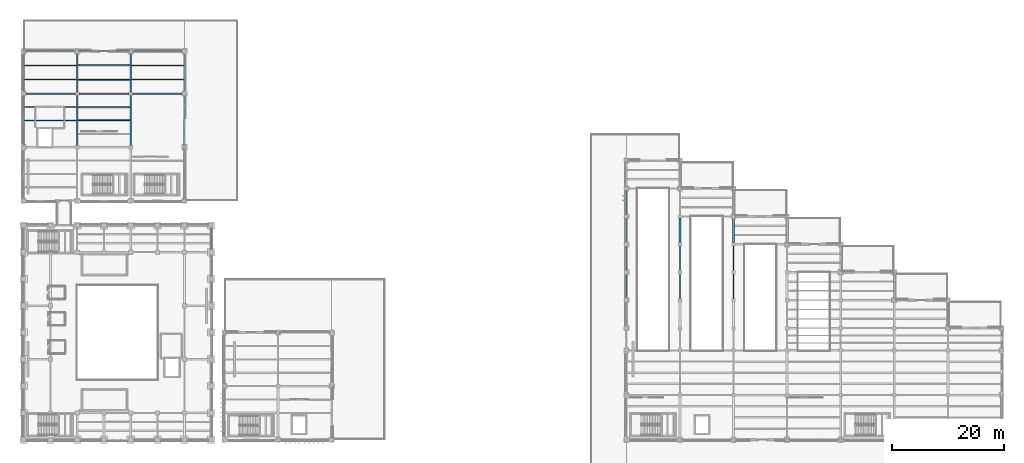
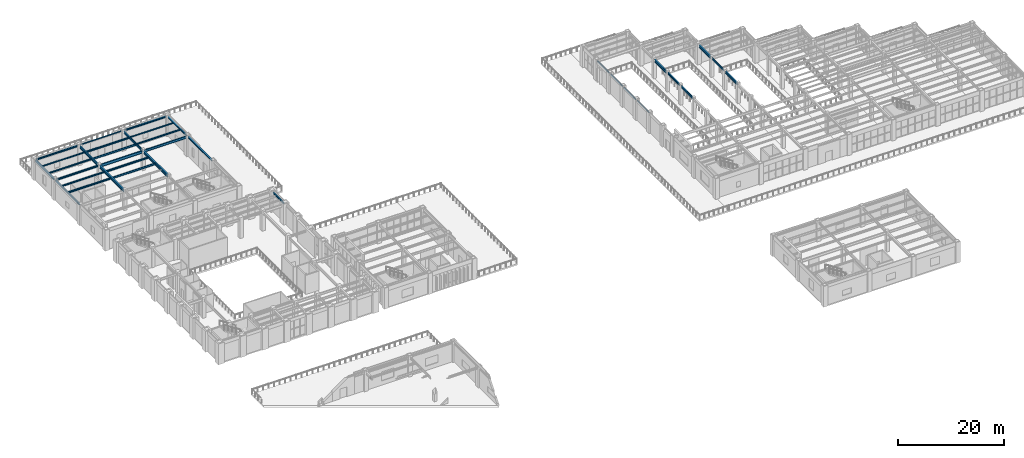
# One storey, part 23 of 83: 35 beams.
"""IFC4 building model written with IfcOpenShell, lengths in metres."""

import ifcopenshell
import ifcopenshell.guid

model = None  # the IFC model being written
_history = None  # IfcOwnerHistory: only IFC2X3 demands one
_inside = {}  # id of a spatial element -> (the spatial element, [elements in it])
_under = {}  # id of a project, library or spatial element -> (it, [spatial elements below it])
_declared = {}  # id of a project -> (the project, [libraries it declares])
_typed = {}  # id of a type object -> (the type object, [elements of that type])
_made_of = {}  # id of a material, layer set ... -> (it, [elements and type objects made of it])


def new_model(schema):
    """Start an empty IFC model of exactly this schema.

    Asked for "IFC4X3", IfcOpenShell would pick the latest addendum, in which some entities
    have other attributes; the version numbers below select the first issue.
    IFC2X3 requires an IfcOwnerHistory on every rooted entity: one is made here for all.
    """
    global model, _history
    if schema == "IFC4X3":
        model = ifcopenshell.file(schema_version=(4, 3, 0, 0))
    else:
        model = ifcopenshell.file(schema=schema)
    _inside.clear()
    _under.clear()
    _declared.clear()
    _typed.clear()
    _made_of.clear()
    _history = None
    if model.schema == "IFC2X3":
        org = make("IfcOrganization", Name="unknown")
        user = make(
            "IfcPersonAndOrganization",
            ThePerson=make("IfcPerson", FamilyName="unknown"),
            TheOrganization=org,
        )
        app = make(
            "IfcApplication",
            ApplicationDeveloper=org,
            Version="unknown",
            ApplicationFullName="unknown",
            ApplicationIdentifier="unknown",
        )
        _history = make(
            "IfcOwnerHistory",
            OwningUser=user,
            OwningApplication=app,
            ChangeAction="ADDED",
            CreationDate=0,
        )
    return model


def make(cls, **values):
    """One entity of the class cls with the attributes given. An attribute that is None is left unset."""
    return model.create_entity(
        cls, **{name: value for name, value in values.items() if value is not None}
    )


def rooted(cls, **values):
    """An entity with a GlobalId (a new one), such as an element, a storey or a relation."""
    return make(cls, GlobalId=ifcopenshell.guid.new(), OwnerHistory=_history, **values)


def si_unit(unit_type, name, prefix=None):
    """IfcSIUnit, for example si_unit("LENGTHUNIT", "METRE", prefix="MILLI")."""
    return make("IfcSIUnit", UnitType=unit_type, Prefix=prefix, Name=name)


def assignment(units):
    """IfcUnitAssignment: the units of a project."""
    return None if units is None else make("IfcUnitAssignment", Units=units)


def point(xyz):
    """IfcCartesianPoint."""
    return None if xyz is None else make("IfcCartesianPoint", Coordinates=xyz)


def direction(xyz):
    """IfcDirection."""
    return None if xyz is None else make("IfcDirection", DirectionRatios=xyz)


def frame(location, z_axis=None, x_axis=None):
    """IfcAxis2Placement3D, a coordinate frame: its origin and axes. An axis left out is left unset."""
    return make(
        "IfcAxis2Placement3D",
        Location=point(location),
        Axis=direction(z_axis),
        RefDirection=direction(x_axis),
    )


def frame_2d(location, x_axis=None):
    """IfcAxis2Placement2D, a coordinate frame in the plane: its origin and x axis."""
    return make(
        "IfcAxis2Placement2D", Location=point(location), RefDirection=direction(x_axis)
    )


def origin():
    """The frame at (0, 0, 0) with its axes left unset."""
    return frame((0.0, 0.0, 0.0))


def origin_2d():
    """The frame at (0, 0) in the plane with its x axis left unset."""
    return frame_2d((0.0, 0.0))


def place(relative_to, where):
    """IfcLocalPlacement: puts the frame where relative to a parent placement (None: the world)."""
    return make(
        "IfcLocalPlacement", PlacementRelTo=relative_to, RelativePlacement=where
    )


def context(
    kind, dimensions, precision=None, world=None, true_north=None, identifier=None
):
    """IfcGeometricRepresentationContext, for example the 3D "Model" context."""
    return make(
        "IfcGeometricRepresentationContext",
        ContextIdentifier=identifier,
        ContextType=kind,
        CoordinateSpaceDimension=dimensions,
        Precision=precision,
        WorldCoordinateSystem=world,
        TrueNorth=true_north,
    )


def subcontext(parent, identifier, kind, view, scale=None):
    """IfcGeometricRepresentationSubContext, for example "Body" below "Model"."""
    return make(
        "IfcGeometricRepresentationSubContext",
        ContextIdentifier=identifier,
        ContextType=kind,
        ParentContext=parent,
        TargetScale=scale,
        TargetView=view,
    )


def project(units=None, contexts=None):
    """IfcProject with its units and contexts."""
    return rooted(
        "IfcProject",
        Name="project",
        RepresentationContexts=contexts,
        UnitsInContext=assignment(units),
    )


def spatial(cls, under=None, at=None, **own):
    """A site, building, storey or space (cls), placed at a placement, below another one or the project."""
    s = rooted(cls, ObjectPlacement=at, **own)
    if under is not None:
        _under.setdefault(under.id(), (under, []))[1].append(s)
    return s


def profile(cls, at=None, kind="AREA", **sizes):
    """A parametric profile (cls). Its sizes go by their IFC names, for example OverallWidth=200.0."""
    return make(cls, ProfileType=kind, Position=at, **sizes)


def hollow_rectangle(**sizes):
    """IfcRectangleHollowProfileDef."""
    return profile("IfcRectangleHollowProfileDef", **sizes)


def i_section(**sizes):
    """IfcIShapeProfileDef."""
    return profile("IfcIShapeProfileDef", **sizes)


def extrude(swept, where, along, depth):
    """IfcExtrudedAreaSolid: the profile swept, set in the frame where, extruded along a direction by depth."""
    return make(
        "IfcExtrudedAreaSolid",
        SweptArea=swept,
        Position=where,
        ExtrudedDirection=direction(along),
        Depth=depth,
    )


def shape(context_of_items, identifier, shape_type, items):
    """IfcShapeRepresentation: the items that make up one representation, for example the "Body"."""
    return make(
        "IfcShapeRepresentation",
        ContextOfItems=context_of_items,
        RepresentationIdentifier=identifier,
        RepresentationType=shape_type,
        Items=items,
    )


def material(Name=None, Category=None):
    """IfcMaterial."""
    return make("IfcMaterial", Name=Name, Category=Category)


def material_profile(
    of_material, cross_section, Name=None, Category=None, Priority=None
):
    """IfcMaterialProfile: a cross section and its material."""
    return make(
        "IfcMaterialProfile",
        Name=Name,
        Material=of_material,
        Profile=cross_section,
        Priority=Priority,
        Category=Category,
    )


def profile_set(profiles, Name=None, composite=None):
    """IfcMaterialProfileSet."""
    return make(
        "IfcMaterialProfileSet",
        Name=Name,
        MaterialProfiles=profiles,
        CompositeProfile=composite,
    )


def made_of(thing, what):
    """Note that an element or type object is made of a material, layer set ...; save() writes the relation."""
    if what is not None:
        _made_of.setdefault(what.id(), (what, []))[1].append(thing)
    return thing


def type_object(cls, material=None, **own):
    """A type object (cls), such as IfcWallType, which elements share."""
    return made_of(rooted(cls, **own), material)


def element(
    cls,
    number,
    at=None,
    inside=None,
    cuts=None,
    type_object=None,
    material=None,
    context=None,
    identifier="Body",
    shape_type=None,
    held_by="IfcProductDefinitionShape",
    body=None,
    shapes=None,
    **own,
):
    """One element of the class cls, such as IfcWall. Its Tag is "e" and its number.

    at: its placement. inside: the storey or other place that contains it. cuts: it is an
    opening in that element (IfcRelVoidsElement). A single representation is given by context,
    identifier, shape_type and body (its items); several are given by shapes. held_by: the class
    of the entity that holds the representations. save() writes the other relations.
    """
    e = rooted(cls, Tag="e%d" % number, ObjectPlacement=at, **own)
    if body is not None:
        shapes = [shape(context, identifier, shape_type, body)]
    if shapes is not None:
        e.Representation = make(held_by, Representations=shapes)
    if inside is not None:
        _inside.setdefault(inside.id(), (inside, []))[1].append(e)
    if cuts is not None:
        rooted(
            "IfcRelVoidsElement", RelatingBuildingElement=cuts, RelatedOpeningElement=e
        )
    if type_object is not None:
        _typed.setdefault(type_object.id(), (type_object, []))[1].append(e)
    return made_of(e, material)


def aggregate(whole, parts):
    """IfcRelAggregates: a whole, such as a stair, and the parts it consists of."""
    return rooted("IfcRelAggregates", RelatingObject=whole, RelatedObjects=parts)


def save(model, path):
    """Write the relations noted so far, then the file.

    IfcRelAggregates (storeys below a building ...), IfcRelContainedInSpatialStructure (elements
    in a storey), IfcRelDefinesByType, IfcRelAssociatesMaterial and IfcRelDeclares: one each for
    every whole, place, type object, material and project.
    """
    for whole, parts in _under.values():
        aggregate(whole, parts)
    for where, things in _inside.values():
        rooted(
            "IfcRelContainedInSpatialStructure",
            RelatedElements=things,
            RelatingStructure=where,
        )
    for kind, things in _typed.values():
        rooted("IfcRelDefinesByType", RelatedObjects=things, RelatingType=kind)
    for what, things in _made_of.values():
        rooted("IfcRelAssociatesMaterial", RelatedObjects=things, RelatingMaterial=what)
    for by, libraries in _declared.values():
        rooted("IfcRelDeclares", RelatingContext=by, RelatedDefinitions=libraries)
    model.write(path)


model = new_model("IFC4")

# Units and contexts
model_context = context("Model", 3, precision=1e-05, world=origin(), true_north=direction((0.0, 1.0)))
body_context = subcontext(model_context, "Body", "Model", "MODEL_VIEW")
ifc_project = project(units=[si_unit("LENGTHUNIT", "METRE"), si_unit("AREAUNIT", "SQUARE_METRE"), si_unit("VOLUMEUNIT", "CUBIC_METRE"), si_unit("PLANEANGLEUNIT", "RADIAN"), si_unit("MASSUNIT", "GRAM", prefix="KILO")], contexts=[model_context])

# Site, building, storey
site_placement = place(None, origin())
site = spatial("IfcSite", under=ifc_project, at=site_placement, CompositionType="ELEMENT")
building_placement = place(site_placement, origin())
building = spatial("IfcBuilding", under=site, at=building_placement, Name="Mavantir Sound Aquarium", CompositionType="ELEMENT")
storey_placement = place(building_placement, frame((0.0, 0.0, 10.5)))
storey = spatial("IfcBuildingStorey", under=building, at=storey_placement, Name="L02", CompositionType="ELEMENT", Elevation=10.5)

# Beams
ifc_material_1 = material(Name="Hollow Structural Steel ASTM A500 GrC", Category="steel")
ifc_material_profile_1 = material_profile(ifc_material_1, hollow_rectangle(XDim=0.199951171875, YDim=0.300048828125, WallThickness=0.012451171875, InnerFilletRadius=0.012451171875, OuterFilletRadius=0.02490234375, at=origin_2d()), Name="RHS 300X200X12.5")
ifc_profile_set_1 = profile_set([ifc_material_profile_1], Name="Hollow Structural Steel ASTM A500 GrC")
beam_type_1 = type_object("IfcBeamType", Name="BM-RHS300-E", PredefinedType="SPANDREL", material=ifc_profile_set_1)
for number, where, z_axis, x_axis, name in (
    (1, (108.0, 66.10009765625, 4.3359375), (0.0, 1.0, 0.0), (-1.0, 0.0, 0.0), "L02 primary girder SS-R30 1556"),
    (2, (108.0, 71.10009765625, 4.3359375), (0.0, 1.0, 0.0), (-1.0, 0.0, 0.0), "L02 primary girder SS-R30 1557"),
    (3, (108.0, 76.10009765625, 4.3359375), (0.0, 1.0, 0.0), (-1.0, 0.0, 0.0), "L02 primary girder SS-R30 1558"),
    (4, (108.0, 81.10009765625, 4.3359375), (0.0, 1.0, 0.0), (-1.0, 0.0, 0.0), "L02 primary girder SS-R30 1559"),
):
    element("IfcBeam", number, at=place(storey_placement, frame(where, z_axis=z_axis, x_axis=x_axis)), inside=storey, type_object=beam_type_1, Name=name, PredefinedType="SPANDREL", context=body_context, shape_type="SweptSolid", body=[
        extrude(hollow_rectangle(XDim=0.199951171875, YDim=0.300048828125, WallThickness=0.012451171875, InnerFilletRadius=0.012451171875, OuterFilletRadius=0.02490234375, at=origin_2d()), origin(), (0.0, 0.0, 1.0), 4.39990234375),
    ])
ifc_material_2 = material(Name="Structural Steel ASTM A992 Gr50", Category="steel")
ifc_material_profile_2 = material_profile(ifc_material_2, i_section(OverallWidth=0.202880859375, OverallDepth=0.202880859375, WebThickness=0.007080078125, FlangeThickness=0.010986328125, FilletRadius=0.010009765625, at=origin_2d()), Name="W200X46")
ifc_profile_set_2 = profile_set([ifc_material_profile_2], Name="Structural Steel ASTM A992 Gr50")
beam_type_2 = type_object("IfcBeamType", Name="BM-W200X46-E", PredefinedType="LINTEL", material=ifc_profile_set_2)
beam_1_placement = place(storey_placement, frame((9.89990234375, 110.39990234375, 4.37451171875), z_axis=(1.0, 0.0, 0.0), x_axis=(0.0, 1.0, 0.0)))
element("IfcBeam", 5, at=beam_1_placement, inside=storey, type_object=beam_type_2, Name="L02 primary beam SL-20 1612", PredefinedType="LINTEL", context=body_context, shape_type="SweptSolid", body=[
    extrude(i_section(OverallWidth=0.202880859375, OverallDepth=0.202880859375, WebThickness=0.007080078125, FlangeThickness=0.010986328125, FilletRadius=0.010009765625, at=origin_2d()), origin(), (0.0, 0.0, 1.0), 9.0),
])
ifc_material_profile_3 = material_profile(ifc_material_2, i_section(OverallWidth=0.202880859375, OverallDepth=0.251953125, WebThickness=0.008056640625, FlangeThickness=0.013427734375, FilletRadius=0.011962890625, at=origin_2d()), Name="W250X58")
ifc_profile_set_3 = profile_set([ifc_material_profile_3], Name="Structural Steel ASTM A992 Gr50")
beam_type_3 = type_object("IfcBeamType", Name="BM-W250X58-I", PredefinedType="JOIST", material=ifc_profile_set_3)
beam_2_placement = place(storey_placement, frame((0.152587890625, 107.86669921875, 4.35009765625), z_axis=(1.0, 0.0, 0.0), x_axis=(0.0, 1.0, 0.0)))
element("IfcBeam", 6, at=beam_2_placement, inside=storey, type_object=beam_type_3, Name="L02 secondary floor joist SJ-25 964", PredefinedType="JOIST", context=body_context, shape_type="SweptSolid", body=[
    extrude(i_section(OverallWidth=0.202880859375, OverallDepth=0.251953125, WebThickness=0.008056640625, FlangeThickness=0.013427734375, FilletRadius=0.011962890625, at=origin_2d()), origin(), (0.0, 0.0, 1.0), 9.34130859375),
])
beam_3_placement = place(storey_placement, frame((19.305908203125, 107.86669921875, 4.35009765625), z_axis=(1.0, 0.0, 0.0), x_axis=(0.0, 1.0, 0.0)))
element("IfcBeam", 7, at=beam_3_placement, inside=storey, type_object=beam_type_3, Name="L02 secondary floor joist SJ-25 968", PredefinedType="JOIST", context=body_context, shape_type="SweptSolid", body=[
    extrude(i_section(OverallWidth=0.202880859375, OverallDepth=0.251953125, WebThickness=0.008056640625, FlangeThickness=0.013427734375, FilletRadius=0.011962890625, at=origin_2d()), origin(), (0.0, 0.0, 1.0), 9.341552734375),
])
ifc_material_profile_4 = material_profile(ifc_material_2, i_section(OverallWidth=0.205078125, OverallDepth=0.31005859375, WebThickness=0.009521484375, FlangeThickness=0.016357421875, FilletRadius=0.012939453125, at=origin_2d()), Name="W310X74")
ifc_profile_set_4 = profile_set([ifc_material_profile_4], Name="Structural Steel ASTM A992 Gr50")
beam_type_4 = type_object("IfcBeamType", Name="BM-W310X74-I", PredefinedType="JOIST", material=ifc_profile_set_4)
beam_4_placement = place(storey_placement, frame((0.152587890625, 100.39990234375, 4.361083984375), z_axis=(1.0, 0.0, 0.0), x_axis=(0.0, 1.0, 0.0)))
element("IfcBeam", 8, at=beam_4_placement, inside=storey, type_object=beam_type_4, Name="L02 secondary floor joist SJ-31 959", PredefinedType="JOIST", context=body_context, shape_type="SweptSolid", body=[
    extrude(i_section(OverallWidth=0.205078125, OverallDepth=0.31005859375, WebThickness=0.009521484375, FlangeThickness=0.016357421875, FilletRadius=0.012939453125, at=origin_2d()), origin(), (0.0, 0.0, 1.0), 9.285400390625),
])
beam_5_placement = place(storey_placement, frame((0.152587890625, 105.333251953125, 4.321044921875), z_axis=(1.0, 0.0, 0.0), x_axis=(0.0, 1.0, 0.0)))
element("IfcBeam", 9, at=beam_5_placement, inside=storey, type_object=beam_type_4, Name="L02 secondary floor joist SJ-31 963", PredefinedType="JOIST", context=body_context, shape_type="SweptSolid", body=[
    extrude(i_section(OverallWidth=0.205078125, OverallDepth=0.31005859375, WebThickness=0.009521484375, FlangeThickness=0.016357421875, FilletRadius=0.012939453125, at=origin_2d()), origin(), (0.0, 0.0, 1.0), 9.34130859375),
])
beam_6_placement = place(storey_placement, frame((19.305908203125, 105.333251953125, 4.321044921875), z_axis=(1.0, 0.0, 0.0), x_axis=(0.0, 1.0, 0.0)))
element("IfcBeam", 10, at=beam_6_placement, inside=storey, type_object=beam_type_4, Name="L02 secondary floor joist SJ-31 967", PredefinedType="JOIST", context=body_context, shape_type="SweptSolid", body=[
    extrude(i_section(OverallWidth=0.205078125, OverallDepth=0.31005859375, WebThickness=0.009521484375, FlangeThickness=0.016357421875, FilletRadius=0.012939453125, at=origin_2d()), origin(), (0.0, 0.0, 1.0), 9.341552734375),
])
ifc_material_profile_5 = material_profile(ifc_material_2, i_section(OverallWidth=0.304931640625, OverallDepth=0.30810546875, WebThickness=0.010009765625, FlangeThickness=0.015380859375, FilletRadius=0.014892578125, at=origin_2d()), Name="W310X97")
ifc_profile_set_5 = profile_set([ifc_material_profile_5], Name="Structural Steel ASTM A992 Gr50")
beam_type_5 = type_object("IfcBeamType", Name="BM-W310X97-E", PredefinedType="SPANDREL", material=ifc_profile_set_5)
beam_7_placement = place(storey_placement, frame((33.60009765625, 74.77490234375, 4.241943359375), z_axis=(0.0, 1.0, 0.0), x_axis=(-1.0, 0.0, 0.0)))
element("IfcBeam", 11, at=beam_7_placement, inside=storey, type_object=beam_type_5, Name="L02 primary girder SS-31A 1480", PredefinedType="SPANDREL", context=body_context, shape_type="SweptSolid", body=[
    extrude(i_section(OverallWidth=0.304931640625, OverallDepth=0.30810546875, WebThickness=0.010009765625, FlangeThickness=0.015380859375, FilletRadius=0.014892578125, at=origin_2d()), origin(), (0.0, 0.0, 1.0), 4.050048828125),
])
for number, where, z_axis, x_axis, name in (
    (12, (0.300048828125, 110.39990234375, 4.322021484375), (1.0, 0.0, 0.0), (0.0, 1.0, 0.0), "L02 primary beam SS-31A 1611"),
    (13, (19.5, 110.39990234375, 4.322021484375), (1.0, 0.0, 0.0), (0.0, 1.0, 0.0), "L02 primary beam SS-31A 1613"),
    (14, (0.0, 93.5, 4.362060546875), (0.0, 1.0, 0.0), (-1.0, 0.0, 0.0), "L02 primary girder SS-31A 1615"),
):
    element("IfcBeam", number, at=place(storey_placement, frame(where, z_axis=z_axis, x_axis=x_axis)), inside=storey, type_object=beam_type_5, Name=name, PredefinedType="SPANDREL", context=body_context, shape_type="SweptSolid", body=[
        extrude(i_section(OverallWidth=0.304931640625, OverallDepth=0.30810546875, WebThickness=0.010009765625, FlangeThickness=0.015380859375, FilletRadius=0.014892578125, at=origin_2d()), origin(), (0.0, 0.0, 1.0), 9.0),
    ])
beam_8_placement = place(storey_placement, frame((0.0, 103.10009765625, 4.322021484375), z_axis=(0.0, 1.0, 0.0), x_axis=(-1.0, 0.0, 0.0)))
element("IfcBeam", 15, at=beam_8_placement, inside=storey, type_object=beam_type_5, Name="L02 primary girder SS-31A 1616", PredefinedType="SPANDREL", context=body_context, shape_type="SweptSolid", body=[
    extrude(i_section(OverallWidth=0.304931640625, OverallDepth=0.30810546875, WebThickness=0.010009765625, FlangeThickness=0.015380859375, FilletRadius=0.014892578125, at=origin_2d()), origin(), (0.0, 0.0, 1.0), 7.0),
])
beam_9_placement = place(storey_placement, frame((28.800048828125, 93.5, 4.362060546875), z_axis=(0.0, 1.0, 0.0), x_axis=(-1.0, 0.0, 0.0)))
element("IfcBeam", 16, at=beam_9_placement, inside=storey, type_object=beam_type_5, Name="L02 primary girder SS-31A 1624", PredefinedType="SPANDREL", context=body_context, shape_type="SweptSolid", body=[
    extrude(i_section(OverallWidth=0.304931640625, OverallDepth=0.30810546875, WebThickness=0.010009765625, FlangeThickness=0.015380859375, FilletRadius=0.014892578125, at=origin_2d()), origin(), (0.0, 0.0, 1.0), 9.0),
])
beam_10_placement = place(storey_placement, frame((28.800048828125, 103.10009765625, 4.322021484375), z_axis=(0.0, 1.0, 0.0), x_axis=(-1.0, 0.0, 0.0)))
element("IfcBeam", 17, at=beam_10_placement, inside=storey, type_object=beam_type_5, Name="L02 primary girder SS-31A 1625", PredefinedType="SPANDREL", context=body_context, shape_type="SweptSolid", body=[
    extrude(i_section(OverallWidth=0.304931640625, OverallDepth=0.30810546875, WebThickness=0.010009765625, FlangeThickness=0.015380859375, FilletRadius=0.014892578125, at=origin_2d()), origin(), (0.0, 0.0, 1.0), 7.0),
])
ifc_material_profile_6 = material_profile(ifc_material_2, i_section(OverallWidth=0.257080078125, OverallDepth=0.363037109375, WebThickness=0.012939453125, FlangeThickness=0.021728515625, FilletRadius=0.014892578125, at=origin_2d()), Name="W360X122")
ifc_profile_set_6 = profile_set([ifc_material_profile_6], Name="Structural Steel ASTM A992 Gr50")
beam_type_6 = type_object("IfcBeamType", Name="BM-W360X122-I", PredefinedType="BEAM", material=ifc_profile_set_6)
beam_11_placement = place(storey_placement, frame((0.300048828125, 102.800048828125, 4.29443359375), z_axis=(1.0, 0.0, 0.0), x_axis=(0.0, 1.0, 0.0)))
element("IfcBeam", 18, at=beam_11_placement, inside=storey, type_object=beam_type_6, Name="L02 primary beam SB-36A 1608", PredefinedType="BEAM", context=body_context, shape_type="SweptSolid", body=[
    extrude(i_section(OverallWidth=0.257080078125, OverallDepth=0.363037109375, WebThickness=0.012939453125, FlangeThickness=0.021728515625, FilletRadius=0.014892578125, at=origin_2d()), origin(), (0.0, 0.0, 1.0), 9.0),
])
ifc_material_profile_7 = material_profile(ifc_material_2, i_section(OverallWidth=0.25390625, OverallDepth=0.35302734375, WebThickness=0.009521484375, FlangeThickness=0.016357421875, FilletRadius=0.014892578125, at=origin_2d()), Name="W360X91")
ifc_profile_set_7 = profile_set([ifc_material_profile_7], Name="Structural Steel ASTM A992 Gr50")
beam_type_7 = type_object("IfcBeamType", Name="BM-W360X91-I", PredefinedType="JOIST", material=ifc_profile_set_7)
beam_12_placement = place(storey_placement, frame((0.152587890625, 98.0, 4.339599609375), z_axis=(1.0, 0.0, 0.0), x_axis=(0.0, 1.0, 0.0)))
element("IfcBeam", 19, at=beam_12_placement, inside=storey, type_object=beam_type_7, Name="L02 secondary floor joist SJ-36 958", PredefinedType="JOIST", context=body_context, shape_type="SweptSolid", body=[
    extrude(i_section(OverallWidth=0.25390625, OverallDepth=0.35302734375, WebThickness=0.009521484375, FlangeThickness=0.016357421875, FilletRadius=0.014892578125, at=origin_2d()), origin(), (0.0, 0.0, 1.0), 9.285400390625),
])
beam_13_placement = place(storey_placement, frame((9.761962890625, 100.39990234375, 4.339599609375), z_axis=(1.0, 0.0, 0.0), x_axis=(0.0, 1.0, 0.0)))
element("IfcBeam", 20, at=beam_13_placement, inside=storey, type_object=beam_type_7, Name="L02 secondary floor joist SJ-36 962", PredefinedType="JOIST", context=body_context, shape_type="SweptSolid", body=[
    extrude(i_section(OverallWidth=0.25390625, OverallDepth=0.35302734375, WebThickness=0.009521484375, FlangeThickness=0.016357421875, FilletRadius=0.014892578125, at=origin_2d()), origin(), (0.0, 0.0, 1.0), 9.276123046875),
])
beam_14_placement = place(storey_placement, frame((9.7060546875, 107.86669921875, 4.299560546875), z_axis=(1.0, 0.0, 0.0), x_axis=(0.0, 1.0, 0.0)))
element("IfcBeam", 21, at=beam_14_placement, inside=storey, type_object=beam_type_7, Name="L02 secondary floor joist SJ-36 966", PredefinedType="JOIST", context=body_context, shape_type="SweptSolid", body=[
    extrude(i_section(OverallWidth=0.25390625, OverallDepth=0.35302734375, WebThickness=0.009521484375, FlangeThickness=0.016357421875, FilletRadius=0.014892578125, at=origin_2d()), origin(), (0.0, 0.0, 1.0), 9.387939453125),
])
ifc_material_profile_8 = material_profile(ifc_material_2, i_section(OverallWidth=0.180908203125, OverallDepth=0.4169921875, WebThickness=0.010986328125, FlangeThickness=0.018310546875, FilletRadius=0.014892578125, at=origin_2d()), Name="W410X85")
ifc_profile_set_8 = profile_set([ifc_material_profile_8], Name="Structural Steel ASTM A992 Gr50")
beam_type_8 = type_object("IfcBeamType", Name="BM-W410X85-I", PredefinedType="JOIST", material=ifc_profile_set_8)
beam_15_placement = place(storey_placement, frame((9.761962890625, 98.0, 4.3076171875), z_axis=(1.0, 0.0, 0.0), x_axis=(0.0, 1.0, 0.0)))
element("IfcBeam", 22, at=beam_15_placement, inside=storey, type_object=beam_type_8, Name="L02 secondary floor joist SJ-41 961", PredefinedType="JOIST", context=body_context, shape_type="SweptSolid", body=[
    extrude(i_section(OverallWidth=0.180908203125, OverallDepth=0.4169921875, WebThickness=0.010986328125, FlangeThickness=0.018310546875, FilletRadius=0.014892578125, at=origin_2d()), origin(), (0.0, 0.0, 1.0), 9.276123046875),
])
beam_16_placement = place(storey_placement, frame((9.7060546875, 105.333251953125, 4.267578125), z_axis=(1.0, 0.0, 0.0), x_axis=(0.0, 1.0, 0.0)))
element("IfcBeam", 23, at=beam_16_placement, inside=storey, type_object=beam_type_8, Name="L02 secondary floor joist SJ-41 965", PredefinedType="JOIST", context=body_context, shape_type="SweptSolid", body=[
    extrude(i_section(OverallWidth=0.180908203125, OverallDepth=0.4169921875, WebThickness=0.010986328125, FlangeThickness=0.018310546875, FilletRadius=0.014892578125, at=origin_2d()), origin(), (0.0, 0.0, 1.0), 9.387939453125),
])
ifc_material_profile_9 = material_profile(ifc_material_2, i_section(OverallWidth=0.194091796875, OverallDepth=0.468994140625, WebThickness=0.0126953125, FlangeThickness=0.0205078125, FilletRadius=0.01611328125, at=origin_2d()), Name="W460X106")
ifc_profile_set_9 = profile_set([ifc_material_profile_9], Name="Structural Steel ASTM A992 Gr50")
beam_type_9 = type_object("IfcBeamType", Name="BM-W460X106-I", PredefinedType="BEAM", material=ifc_profile_set_9)
for number, where, z_axis, x_axis, name in (
    (24, (117.60009765625, 71.10009765625, 4.25146484375), (0.0, 1.0, 0.0), (-1.0, 0.0, 0.0), "L02 primary girder SB-46 1566"),
    (25, (127.199951171875, 71.10009765625, 4.25146484375), (0.0, 1.0, 0.0), (-1.0, 0.0, 0.0), "L02 primary girder SB-46 1575"),
):
    element("IfcBeam", number, at=place(storey_placement, frame(where, z_axis=z_axis, x_axis=x_axis)), inside=storey, type_object=beam_type_9, Name=name, PredefinedType="BEAM", context=body_context, shape_type="SweptSolid", body=[
        extrude(i_section(OverallWidth=0.194091796875, OverallDepth=0.468994140625, WebThickness=0.0126953125, FlangeThickness=0.0205078125, FilletRadius=0.01611328125, at=origin_2d()), origin(), (0.0, 0.0, 1.0), 4.39990234375),
    ])
ifc_material_profile_10 = material_profile(ifc_material_2, i_section(OverallWidth=0.2119140625, OverallDepth=0.5439453125, WebThickness=0.01318359375, FlangeThickness=0.021240234375, FilletRadius=0.01806640625, at=origin_2d()), Name="W530X123")
ifc_profile_set_10 = profile_set([ifc_material_profile_10], Name="Structural Steel ASTM A992 Gr50")
beam_type_10 = type_object("IfcBeamType", Name="BM-W530X123-I", PredefinedType="BEAM", material=ifc_profile_set_10)
for number, where, z_axis, x_axis, name in (
    (26, (117.60009765625, 66.10009765625, 4.214111328125), (0.0, 1.0, 0.0), (-1.0, 0.0, 0.0), "L02 primary girder SB-53 1565"),
    (27, (127.199951171875, 66.10009765625, 4.214111328125), (0.0, 1.0, 0.0), (-1.0, 0.0, 0.0), "L02 primary girder SB-53 1574"),
):
    element("IfcBeam", number, at=place(storey_placement, frame(where, z_axis=z_axis, x_axis=x_axis)), inside=storey, type_object=beam_type_10, Name=name, PredefinedType="BEAM", context=body_context, shape_type="SweptSolid", body=[
        extrude(i_section(OverallWidth=0.2119140625, OverallDepth=0.5439453125, WebThickness=0.01318359375, FlangeThickness=0.021240234375, FilletRadius=0.01806640625, at=origin_2d()), origin(), (0.0, 0.0, 1.0), 4.39990234375),
    ])
beam_17_placement = place(storey_placement, frame((19.5, 102.800048828125, 4.2041015625), z_axis=(1.0, 0.0, 0.0), x_axis=(0.0, 1.0, 0.0)))
element("IfcBeam", 28, at=beam_17_placement, inside=storey, type_object=beam_type_10, Name="L02 primary beam SB-53 1610", PredefinedType="BEAM", context=body_context, shape_type="SweptSolid", body=[
    extrude(i_section(OverallWidth=0.2119140625, OverallDepth=0.5439453125, WebThickness=0.01318359375, FlangeThickness=0.021240234375, FilletRadius=0.01806640625, at=origin_2d()), origin(), (0.0, 0.0, 1.0), 9.0),
])
for number, where, z_axis, x_axis, name in (
    (29, (9.60009765625, 103.10009765625, 4.2041015625), (0.0, 1.0, 0.0), (-1.0, 0.0, 0.0), "L02 primary girder SB-53 1619"),
    (30, (19.199951171875, 103.10009765625, 4.2041015625), (0.0, 1.0, 0.0), (-1.0, 0.0, 0.0), "L02 primary girder SB-53 1622"),
):
    element("IfcBeam", number, at=place(storey_placement, frame(where, z_axis=z_axis, x_axis=x_axis)), inside=storey, type_object=beam_type_10, Name=name, PredefinedType="BEAM", context=body_context, shape_type="SweptSolid", body=[
        extrude(i_section(OverallWidth=0.2119140625, OverallDepth=0.5439453125, WebThickness=0.01318359375, FlangeThickness=0.021240234375, FilletRadius=0.01806640625, at=origin_2d()), origin(), (0.0, 0.0, 1.0), 7.0),
    ])
ifc_material_profile_11 = material_profile(ifc_material_2, i_section(OverallWidth=0.22900390625, OverallDepth=0.612060546875, WebThickness=0.011962890625, FlangeThickness=0.01953125, FilletRadius=0.01904296875, at=origin_2d()), Name="W610X125")
ifc_profile_set_11 = profile_set([ifc_material_profile_11], Name="Structural Steel ASTM A992 Gr50")
beam_type_11 = type_object("IfcBeamType", Name="BM-W610X125-I", PredefinedType="BEAM", material=ifc_profile_set_11)
beam_18_placement = place(storey_placement, frame((9.89990234375, 102.800048828125, 4.169921875), z_axis=(1.0, 0.0, 0.0), x_axis=(0.0, 1.0, 0.0)))
element("IfcBeam", 31, at=beam_18_placement, inside=storey, type_object=beam_type_11, Name="L02 primary beam SB-61B 1609", PredefinedType="BEAM", context=body_context, shape_type="SweptSolid", body=[
    extrude(i_section(OverallWidth=0.22900390625, OverallDepth=0.612060546875, WebThickness=0.011962890625, FlangeThickness=0.01953125, FilletRadius=0.01904296875, at=origin_2d()), origin(), (0.0, 0.0, 1.0), 9.0),
])
ifc_material_profile_12 = material_profile(ifc_material_2, i_section(OverallWidth=0.323974609375, OverallDepth=0.611083984375, WebThickness=0.0126953125, FlangeThickness=0.01904296875, FilletRadius=0.01904296875, at=origin_2d()), Name="W610X155")
ifc_profile_set_12 = profile_set([ifc_material_profile_12], Name="Structural Steel ASTM A992 Gr50")
beam_type_12 = type_object("IfcBeamType", Name="BM-W610X155-I", PredefinedType="BEAM", material=ifc_profile_set_12)
for number, where, z_axis, x_axis, name in (
    (32, (117.60009765625, 76.10009765625, 4.180419921875), (0.0, 1.0, 0.0), (-1.0, 0.0, 0.0), "L02 primary girder SB-61A 1567"),
    (33, (127.199951171875, 76.10009765625, 4.180419921875), (0.0, 1.0, 0.0), (-1.0, 0.0, 0.0), "L02 primary girder SB-61A 1576"),
):
    element("IfcBeam", number, at=place(storey_placement, frame(where, z_axis=z_axis, x_axis=x_axis)), inside=storey, type_object=beam_type_12, Name=name, PredefinedType="BEAM", context=body_context, shape_type="SweptSolid", body=[
        extrude(i_section(OverallWidth=0.323974609375, OverallDepth=0.611083984375, WebThickness=0.0126953125, FlangeThickness=0.01904296875, FilletRadius=0.01904296875, at=origin_2d()), origin(), (0.0, 0.0, 1.0), 4.39990234375),
    ])
for number, where, z_axis, x_axis, name in (
    (34, (9.60009765625, 93.5, 4.21044921875), (0.0, 1.0, 0.0), (-1.0, 0.0, 0.0), "L02 primary girder SB-61A 1618"),
    (35, (19.199951171875, 93.5, 4.21044921875), (0.0, 1.0, 0.0), (-1.0, 0.0, 0.0), "L02 primary girder SB-61A 1621"),
):
    element("IfcBeam", number, at=place(storey_placement, frame(where, z_axis=z_axis, x_axis=x_axis)), inside=storey, type_object=beam_type_12, Name=name, PredefinedType="BEAM", context=body_context, shape_type="SweptSolid", body=[
        extrude(i_section(OverallWidth=0.323974609375, OverallDepth=0.611083984375, WebThickness=0.0126953125, FlangeThickness=0.01904296875, FilletRadius=0.01904296875, at=origin_2d()), origin(), (0.0, 0.0, 1.0), 9.0),
    ])

save(model, "model.ifc")
